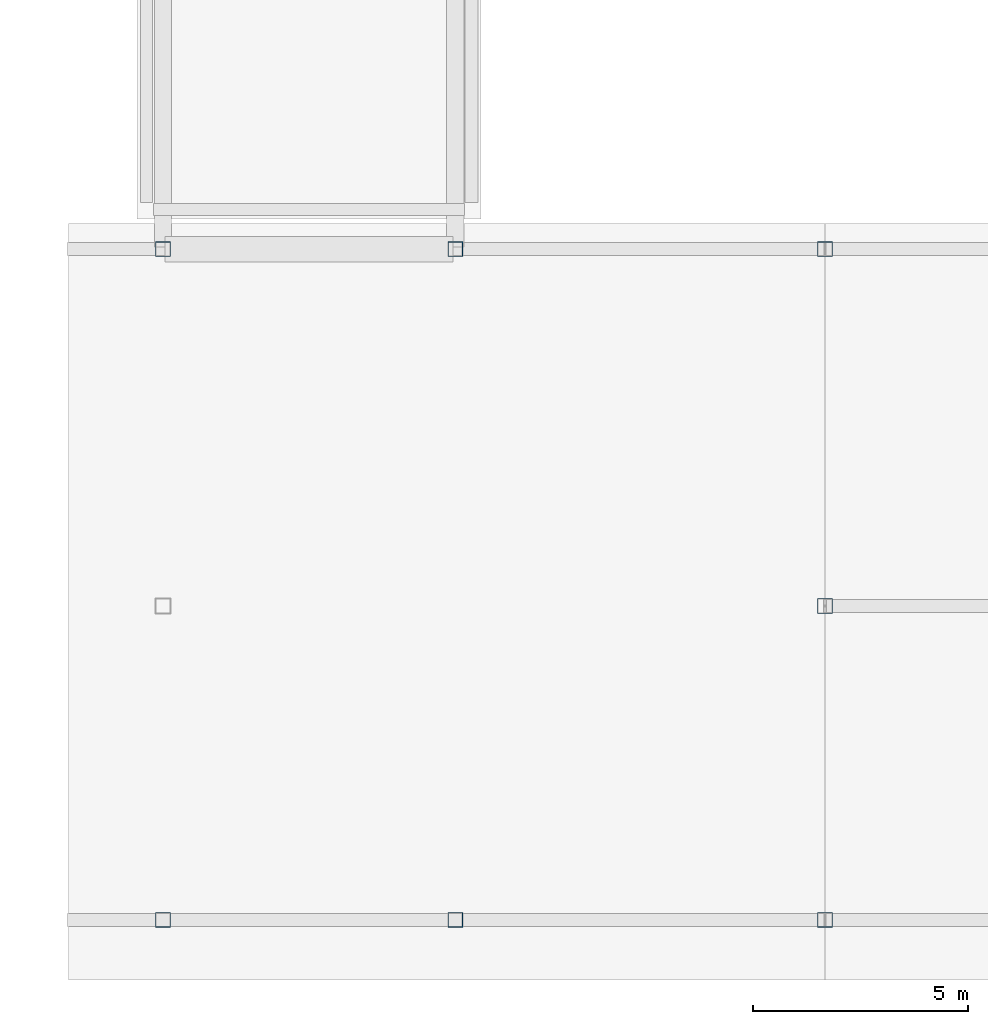
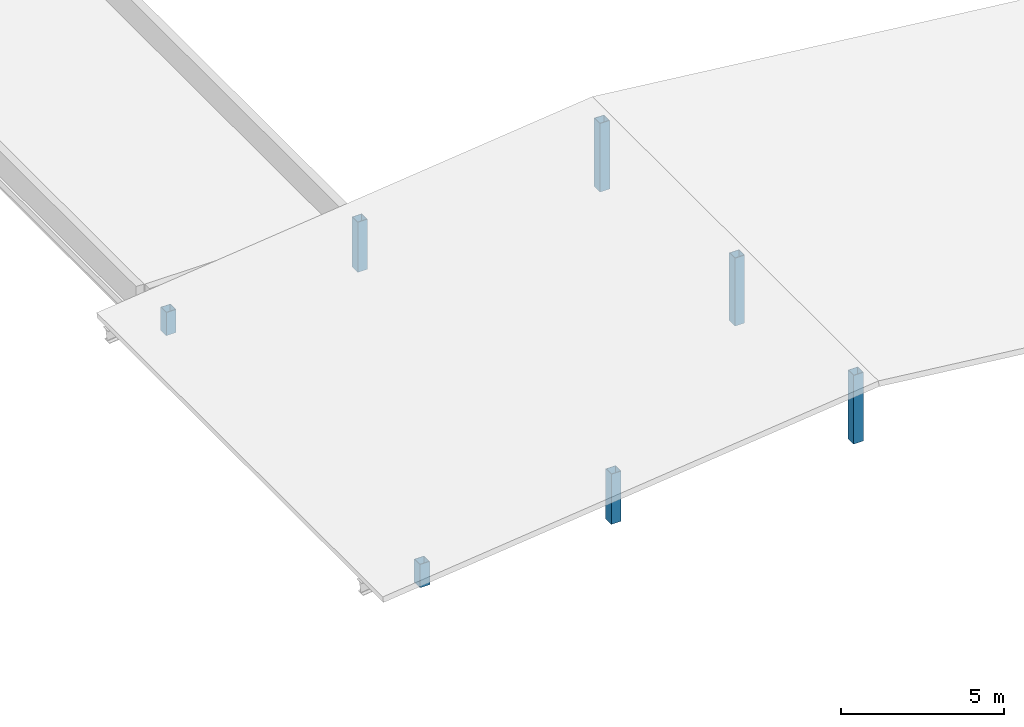
# One storey, part 2 of 49: 7 columns.
"""IFC4 building model written with IfcOpenShell, lengths in metres."""

from ifc_helpers import new_model, si_unit, direction, frame, origin, origin_2d, place, context, subcontext, project, spatial, hollow_rectangle, extrude, material, material_profile, profile_set, type_object, element, save


model = new_model("IFC4")

# Units and contexts
model_context = context("Model", 3, precision=1e-05, world=origin(), true_north=direction((0.0, 1.0)))
body_context = subcontext(model_context, "Body", "Model", "MODEL_VIEW")
ifc_project = project(units=[si_unit("LENGTHUNIT", "METRE"), si_unit("AREAUNIT", "SQUARE_METRE"), si_unit("VOLUMEUNIT", "CUBIC_METRE"), si_unit("PLANEANGLEUNIT", "RADIAN"), si_unit("MASSUNIT", "GRAM", prefix="KILO")], contexts=[model_context])

# Site, building, storey
site_placement = place(None, origin())
site = spatial("IfcSite", under=ifc_project, at=site_placement, CompositionType="ELEMENT")
building_placement = place(site_placement, origin())
building = spatial("IfcBuilding", under=site, at=building_placement, Name="Soyqirgoq Riverine Aquarium", CompositionType="ELEMENT")
storey_placement = place(building_placement, frame((0.0, 0.0, 15.0)))
storey = spatial("IfcBuildingStorey", under=building, at=storey_placement, Name="L04", CompositionType="ELEMENT", Elevation=15.0)

# Columns
ifc_material = material(Name="Structural steel S355", Category="steel")
ifc_material_profile = material_profile(ifc_material, hollow_rectangle(XDim=0.35009765625, YDim=0.35009765625, WallThickness=0.01611328125, at=origin_2d()), Name="SHS 350x350x16")
ifc_profile_set = profile_set([ifc_material_profile], Name="Structural steel S355")
column_type = type_object("IfcColumnType", Name="Col_Steel_SHS350", PredefinedType="COLUMN", material=ifc_profile_set)
column_1_placement = place(storey_placement, frame((122.60009765625, 2.199951171875, -0.260009765625), z_axis=(0.0, 0.0, 1.0), x_axis=(1.0, 0.0, 0.0)))
element("IfcColumn", 1, at=column_1_placement, inside=storey, type_object=column_type, Name="V6 Roof Support Column W01", PredefinedType="COLUMN", context=body_context, shape_type="SweptSolid", body=[
    extrude(hollow_rectangle(XDim=0.35009765625, YDim=0.35009765625, WallThickness=0.01611328125, at=origin_2d()), origin(), (0.0, 0.0, 1.0), 0.873291015625),
])
column_2_placement = place(storey_placement, frame((138.0, 2.199951171875, -0.260009765625), z_axis=(0.0, 0.0, 1.0), x_axis=(1.0, 0.0, 0.0)))
element("IfcColumn", 2, at=column_2_placement, inside=storey, type_object=column_type, Name="V6 Roof Support Column M01", PredefinedType="COLUMN", context=body_context, shape_type="SweptSolid", body=[
    extrude(hollow_rectangle(XDim=0.35009765625, YDim=0.35009765625, WallThickness=0.01611328125, at=origin_2d()), origin(), (0.0, 0.0, 1.0), 2.57958984375),
])
column_3_placement = place(storey_placement, frame((138.0, 9.5, -0.260009765625), z_axis=(0.0, 0.0, 1.0), x_axis=(1.0, 0.0, 0.0)))
element("IfcColumn", 3, at=column_3_placement, inside=storey, type_object=column_type, Name="V6 Roof Support Column M02", PredefinedType="COLUMN", context=body_context, shape_type="SweptSolid", body=[
    extrude(hollow_rectangle(XDim=0.35009765625, YDim=0.35009765625, WallThickness=0.01611328125, at=origin_2d()), origin(), (0.0, 0.0, 1.0), 2.5546875),
])
column_4_placement = place(storey_placement, frame((122.60009765625, 17.800048828125, -0.260009765625), z_axis=(0.0, 0.0, 1.0), x_axis=(1.0, 0.0, 0.0)))
element("IfcColumn", 4, at=column_4_placement, inside=storey, type_object=column_type, Name="V6 Roof Support Column W03", PredefinedType="COLUMN", context=body_context, shape_type="SweptSolid", body=[
    extrude(hollow_rectangle(XDim=0.35009765625, YDim=0.35009765625, WallThickness=0.01611328125, at=origin_2d()), origin(), (0.0, 0.0, 1.0), 0.873291015625),
])
column_5_placement = place(storey_placement, frame((138.0, 17.800048828125, -0.260009765625), z_axis=(0.0, 0.0, 1.0), x_axis=(1.0, 0.0, 0.0)))
element("IfcColumn", 5, at=column_5_placement, inside=storey, type_object=column_type, Name="V6 Roof Support Column M03", PredefinedType="COLUMN", context=body_context, shape_type="SweptSolid", body=[
    extrude(hollow_rectangle(XDim=0.35009765625, YDim=0.35009765625, WallThickness=0.01611328125, at=origin_2d()), origin(), (0.0, 0.0, 1.0), 2.57958984375),
])
for number, where, z_axis, x_axis, name in (
    (6, (129.39990234375, 2.199951171875, -0.260009765625), (0.0, 0.0, 1.0), (1.0, 0.0, 0.0), "V6 Roof Support Column V6-C-15"),
    (7, (129.39990234375, 17.800048828125, -0.260009765625), (0.0, 0.0, 1.0), (1.0, 0.0, 0.0), "V6 Roof Support Column V6-C-16"),
):
    element("IfcColumn", number, at=place(storey_placement, frame(where, z_axis=z_axis, x_axis=x_axis)), inside=storey, type_object=column_type, Name=name, PredefinedType="COLUMN", context=body_context, shape_type="SweptSolid", body=[
        extrude(hollow_rectangle(XDim=0.35009765625, YDim=0.35009765625, WallThickness=0.01611328125, at=origin_2d()), origin(), (0.0, 0.0, 1.0), 1.880859375),
    ])

save(model, "model.ifc")
